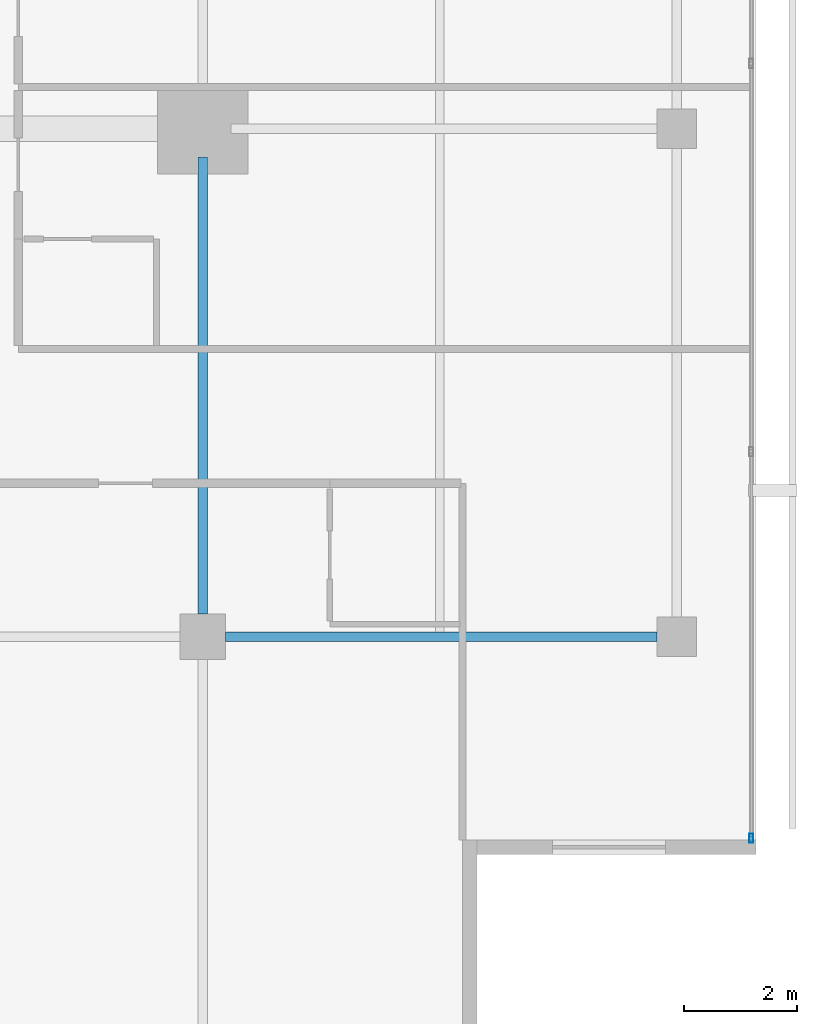
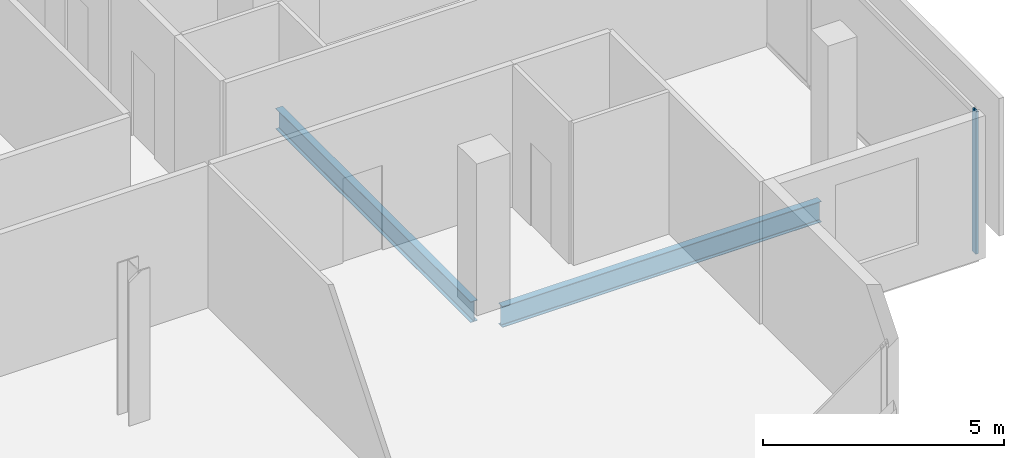
# One storey, part 11 of 25: 2 beams, 1 member, 1 element without a shape of its own.
"""IFC4 building model written with IfcOpenShell, lengths in metres."""

from ifc_helpers import new_model, si_unit, direction, frame, origin, origin_2d, place, context, subcontext, project, spatial, hollow_rectangle, i_section, extrude, material, layer, layer_set, material_profile, profile_set, type_object, element, aggregate, save


model = new_model("IFC4")

# Units and contexts
model_context = context("Model", 3, precision=1e-05, world=origin(), true_north=direction((0.0, 1.0)))
body_context = subcontext(model_context, "Body", "Model", "MODEL_VIEW")
ifc_project = project(units=[si_unit("LENGTHUNIT", "METRE"), si_unit("AREAUNIT", "SQUARE_METRE"), si_unit("VOLUMEUNIT", "CUBIC_METRE"), si_unit("PLANEANGLEUNIT", "RADIAN"), si_unit("MASSUNIT", "GRAM", prefix="KILO")], contexts=[model_context])

# Site, building, storey
site_placement = place(None, origin())
site = spatial("IfcSite", under=ifc_project, at=site_placement, CompositionType="ELEMENT")
building_placement = place(site_placement, origin())
building = spatial("IfcBuilding", under=site, at=building_placement, Name="Maruvema Waterfront Hotel and Observation Tower", CompositionType="ELEMENT")
storey_placement = place(building_placement, frame((0.0, 0.0, 281.75)))
storey = spatial("IfcBuildingStorey", under=building, at=storey_placement, Name="L69", CompositionType="ELEMENT", Elevation=281.75)

# Curtain wall, member
ifc_material_1 = material(Name="Anodised bronze aluminium and solar-control low-E IGU", Category="aluminium")
ifc_layer = layer(ifc_material_1, 0.159912109375, Name="Zone 3 Champagne Inner Thermal Curtain Wall System CW-04")
ifc_layer_set = layer_set([ifc_layer], Name="Anodised bronze aluminium and solar-control low-E IGU")
curtain_wall_type = type_object("IfcCurtainWallType", Name="Zone 3 Champagne Inner Thermal Curtain Wall System CW-04", PredefinedType="USERDEFINED", material=ifc_layer_set)
curtain_wall_placement = place(storey_placement, origin())
curtain_wall = element("IfcCurtainWall", 1, at=curtain_wall_placement, inside=storey, type_object=curtain_wall_type, Name="L69 Curtain Wall CW-L69-E", ObjectType="UNITISED CURTAIN WALL", PredefinedType="USERDEFINED")
ifc_material_2 = material(Name="Anodised architectural bronze aluminium", Category="aluminium")
ifc_material_profile_1 = material_profile(ifc_material_2, hollow_rectangle(XDim=0.06494140625, YDim=0.1650390625, WallThickness=0.00390625, at=origin_2d()), Name="ALU-M65x165")
ifc_profile_set_1 = profile_set([ifc_material_profile_1], Name="Anodised architectural bronze aluminium")
member_type = type_object("IfcMemberType", Name="Curtain Wall Primary Mullion ALU-M65x165", PredefinedType="MULLION", material=ifc_profile_set_1)
member_placement = place(storey_placement, frame((60.1201171875, 14.429931640625, 0.0), z_axis=(0.0, 0.0, 1.0), x_axis=(-1.0, 0.0, 0.0)))
member = element("IfcMember", 2, at=member_placement, type_object=member_type, Name="CW-04 mullion 1", PredefinedType="MULLION", context=body_context, shape_type="SweptSolid", body=[
    extrude(hollow_rectangle(XDim=0.06494140625, YDim=0.1650390625, WallThickness=0.00390625, at=origin_2d()), origin(), (0.0, 0.0, 1.0), 3.610107421875),
])
aggregate(curtain_wall, [member])

# Beams
ifc_material_3 = material(Name="Steel ASTM A572 Grade 50", Category="steel")
ifc_material_profile_2 = material_profile(ifc_material_3, i_section(OverallWidth=0.166015625, OverallDepth=0.529052734375, WebThickness=0.009765625, FlangeThickness=0.013671875, FilletRadius=0.014892578125, at=origin_2d()), Name="W530x74.0")
ifc_profile_set_2 = profile_set([ifc_material_profile_2], Name="Steel ASTM A572 Grade 50")
beam_type = type_object("IfcBeamType", Name="Primary Floor Girder W530x74.0", PredefinedType="BEAM", material=ifc_profile_set_2)
beam_1_placement = place(storey_placement, frame((50.800048828125, 18.0, -0.50439453125), z_axis=(1.0, 0.0, 0.0), x_axis=(0.0, 1.0, 0.0)))
element("IfcBeam", 3, at=beam_1_placement, inside=storey, type_object=beam_type, Name="L69 Floor Girder EW-08", PredefinedType="BEAM", context=body_context, shape_type="SweptSolid", body=[
    extrude(i_section(OverallWidth=0.166015625, OverallDepth=0.529052734375, WebThickness=0.009765625, FlangeThickness=0.013671875, FilletRadius=0.014892578125, at=origin_2d()), origin(), (0.0, 0.0, 1.0), 7.64990234375),
])
beam_2_placement = place(storey_placement, frame((50.39990234375, 18.39990234375, -0.50439453125), z_axis=(0.0, 1.0, 0.0), x_axis=(-1.0, 0.0, 0.0)))
element("IfcBeam", 4, at=beam_2_placement, inside=storey, type_object=beam_type, Name="L69 Floor Girder NS-13", PredefinedType="BEAM", context=body_context, shape_type="SweptSolid", body=[
    extrude(i_section(OverallWidth=0.166015625, OverallDepth=0.529052734375, WebThickness=0.009765625, FlangeThickness=0.013671875, FilletRadius=0.014892578125, at=origin_2d()), origin(), (0.0, 0.0, 1.0), 8.10009765625),
])

save(model, "model.ifc")
